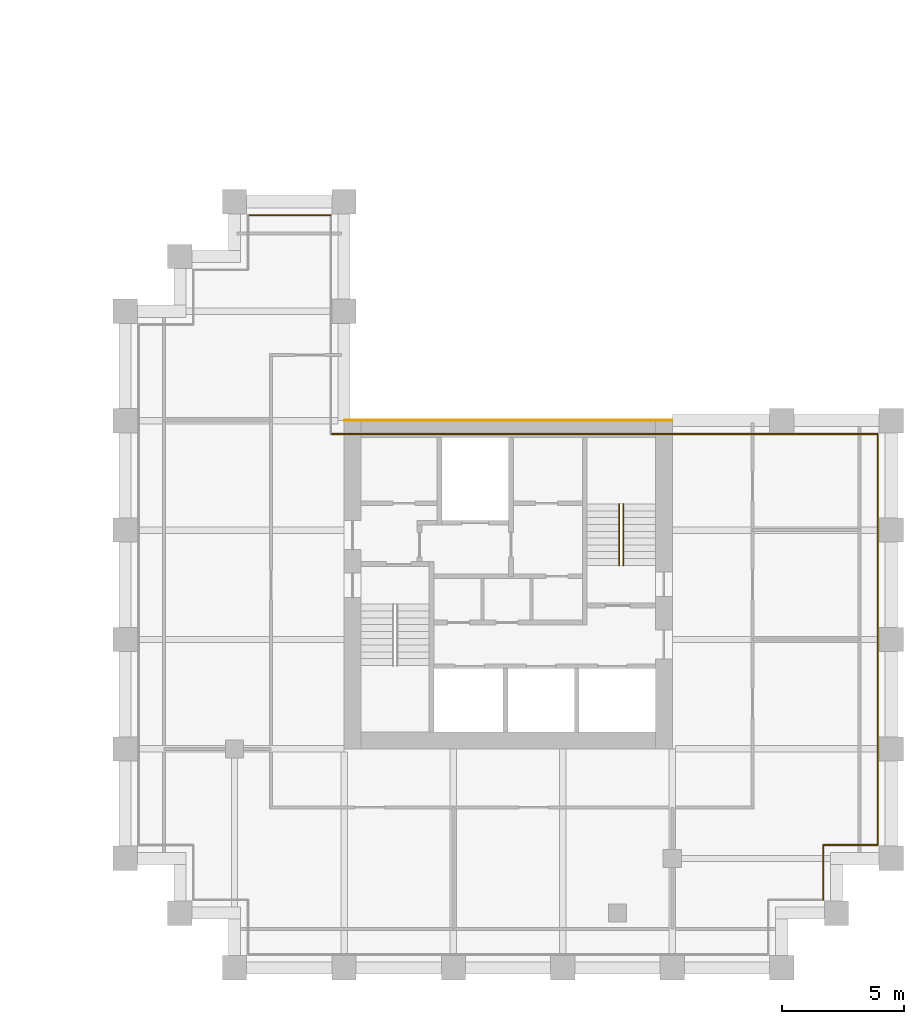
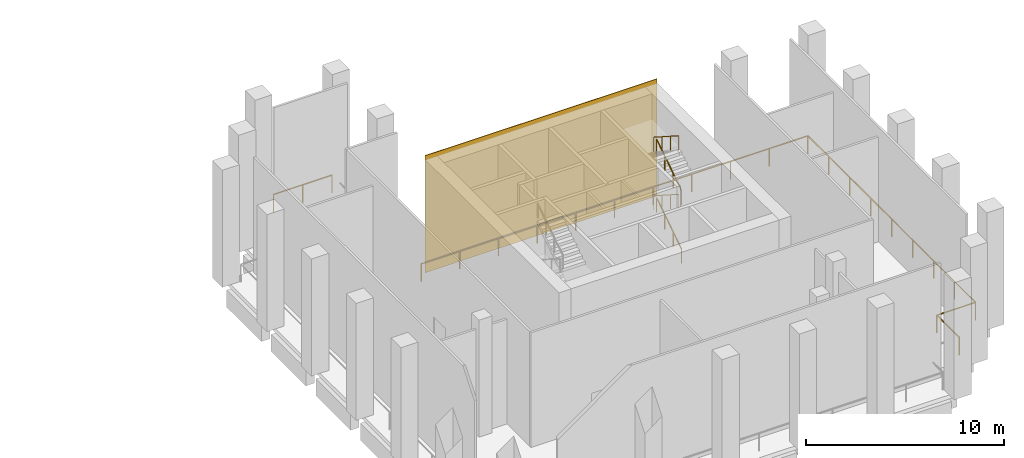
# One storey, part 9 of 9: 9 railings, 1 covering.
"""IFC4 building model written with IfcOpenShell, lengths in metres."""

from ifc_helpers import new_model, si_unit, direction, frame, origin, origin_2d, place, context, subcontext, project, spatial, rectangle, circle, extrude, source, transform, mapped, material, layer, layer_set, type_object, element, save


model = new_model("IFC4")

# Units and contexts
model_context = context("Model", 3, precision=1e-05, world=origin(), true_north=direction((0.0, 1.0)))
body_context = subcontext(model_context, "Body", "Model", "MODEL_VIEW")
ifc_project = project(units=[si_unit("LENGTHUNIT", "METRE"), si_unit("AREAUNIT", "SQUARE_METRE"), si_unit("VOLUMEUNIT", "CUBIC_METRE"), si_unit("PLANEANGLEUNIT", "RADIAN"), si_unit("MASSUNIT", "GRAM", prefix="KILO")], contexts=[model_context])

# Site, building, storey
site_placement = place(None, origin())
site = spatial("IfcSite", under=ifc_project, at=site_placement, CompositionType="ELEMENT")
building_placement = place(site_placement, origin())
building = spatial("IfcBuilding", under=site, at=building_placement, Name="Altepetl Exchange Towers", CompositionType="ELEMENT")
storey_placement = place(building_placement, frame((0.0, 0.0, 113.60009765625)))
storey = spatial("IfcBuildingStorey", under=building, at=storey_placement, Name="L28 Wind floor plant", CompositionType="ELEMENT", Elevation=113.60009765625)

# Covering
ifc_material_1 = material(Name="Cantera limestone cladding", Category="masonry")
ifc_layer = layer(ifc_material_1, 0.0400390625)
ifc_layer_set = layer_set([ifc_layer], Name="Cantera limestone cladding")
covering_type = type_object("IfcCoveringType", Name="Stone panel 40 cantera", PredefinedType="CLADDING", material=ifc_layer_set)
covering_placement = place(storey_placement, frame((110.25, 49.52001953125, 0.0), z_axis=(0.0, 0.0, 1.0), x_axis=(-1.0, 0.0, 0.0)))
element("IfcCovering", 1, at=covering_placement, inside=storey, type_object=covering_type, Name="Stone cladding panel", PredefinedType="CLADDING", context=body_context, shape_type="SweptSolid", body=[
    extrude(rectangle(XDim=13.5, YDim=0.0400390625, at=origin_2d()), origin(), (0.0, 0.0, 1.0), 7.199951171875),
])

# Railings
ifc_material_2 = material(Name="Steel S355", Category="steel")
railing_type_1 = type_object("IfcRailingType", Name="Guard 1100 steel posts and rail", PredefinedType="GUARDRAIL", material=ifc_material_2)
shared_shape_1 = source(origin(), body_context, "Body", "SweptSolid", [
    extrude(circle(Radius=0.02099609375, at=origin_2d()), origin(), (0.0, 0.0, 1.0), 1.052001953125),
])
railing_1_placement = place(storey_placement, frame((123.199951171875, 29.800048828125, 0.0)))
element("IfcRailing", 2, at=railing_1_placement, inside=storey, type_object=railing_type_1, Name="Edge guard", PredefinedType="GUARDRAIL", context=body_context, shape_type="SweptSolid", body=[
    extrude(circle(Radius=0.02392578125, at=origin_2d()), frame((0.0, 0.0, 1.076171875), z_axis=(0.0, 1.0, 0.0), x_axis=(-1.0, 0.0, 0.0)), (0.0, 0.0, 1.0), 2.25),
    mapped(shared_shape_1, transform((0.0, 0.0, 0.0))),
    mapped(shared_shape_1, transform((0.0, 2.25, 0.0))),
])
railing_2_placement = place(storey_placement, frame((123.199951171875, 32.050048828125, 0.0)))
element("IfcRailing", 3, at=railing_2_placement, inside=storey, type_object=railing_type_1, Name="Edge guard", PredefinedType="GUARDRAIL", context=body_context, shape_type="SweptSolid", body=[
    extrude(circle(Radius=0.02392578125, at=origin_2d()), frame((0.0, 0.0, 1.076171875), z_axis=(1.0, 0.0, 0.0), x_axis=(0.0, 1.0, 0.0)), (0.0, 0.0, 1.0), 2.25),
    mapped(shared_shape_1, transform((0.0, 0.0, 0.0))),
    mapped(shared_shape_1, transform((2.25, 0.0, 0.0))),
])
railing_3_placement = place(storey_placement, frame((125.449951171875, 32.050048828125, 0.0)))
element("IfcRailing", 4, at=railing_3_placement, inside=storey, type_object=railing_type_1, Name="Edge guard", PredefinedType="GUARDRAIL", context=body_context, shape_type="SweptSolid", body=[
    extrude(circle(Radius=0.02392578125, at=origin_2d()), frame((0.0, 0.0, 1.076171875), z_axis=(0.0, 1.0, 0.0), x_axis=(-1.0, 0.0, 0.0)), (0.0, 0.0, 1.0), 16.89990234375),
    mapped(shared_shape_1, transform((0.0, 0.0, 0.0))),
    mapped(shared_shape_1, transform((0.0, 2.112548828125, 0.0))),
    mapped(shared_shape_1, transform((0.0, 4.22509765625, 0.0))),
    mapped(shared_shape_1, transform((0.0, 6.33740234375, 0.0))),
    mapped(shared_shape_1, transform((0.0, 8.449951171875, 0.0))),
    mapped(shared_shape_1, transform((0.0, 10.5625, 0.0))),
    mapped(shared_shape_1, transform((0.0, 12.6748046875, 0.0))),
    mapped(shared_shape_1, transform((0.0, 14.787353515625, 0.0))),
    mapped(shared_shape_1, transform((0.0, 16.89990234375, 0.0))),
])
railing_4_placement = place(storey_placement, frame((125.449951171875, 48.949951171875, 0.0)))
element("IfcRailing", 5, at=railing_4_placement, inside=storey, type_object=railing_type_1, Name="Edge guard", PredefinedType="GUARDRAIL", context=body_context, shape_type="SweptSolid", body=[
    extrude(circle(Radius=0.02392578125, at=origin_2d()), frame((0.0, 0.0, 1.076171875), z_axis=(-1.0, 0.0, 0.0), x_axis=(0.0, -1.0, 0.0)), (0.0, 0.0, 1.0), 22.5),
    mapped(shared_shape_1, transform((0.0, 0.0, 0.0))),
    mapped(shared_shape_1, transform((-2.25, 0.0, 0.0))),
    mapped(shared_shape_1, transform((-4.5, 0.0, 0.0))),
    mapped(shared_shape_1, transform((-6.75, 0.0, 0.0))),
    mapped(shared_shape_1, transform((-9.0, 0.0, 0.0))),
    mapped(shared_shape_1, transform((-11.25, 0.0, 0.0))),
    mapped(shared_shape_1, transform((-13.5, 0.0, 0.0))),
    mapped(shared_shape_1, transform((-15.75, 0.0, 0.0))),
    mapped(shared_shape_1, transform((-18.0, 0.0, 0.0))),
    mapped(shared_shape_1, transform((-20.25, 0.0, 0.0))),
    mapped(shared_shape_1, transform((-22.5, 0.0, 0.0))),
])
railing_5_placement = place(storey_placement, frame((102.949951171875, 57.949951171875, 0.0)))
element("IfcRailing", 6, at=railing_5_placement, inside=storey, type_object=railing_type_1, Name="Edge guard", PredefinedType="GUARDRAIL", context=body_context, shape_type="SweptSolid", body=[
    extrude(circle(Radius=0.02392578125, at=origin_2d()), frame((0.0, 0.0, 1.076171875), z_axis=(-1.0, 0.0, 0.0), x_axis=(0.0, -1.0, 0.0)), (0.0, 0.0, 1.0), 3.39990234375),
    mapped(shared_shape_1, transform((0.0, 0.0, 0.0))),
    mapped(shared_shape_1, transform((-1.699951171875, 0.0, 0.0))),
    mapped(shared_shape_1, transform((-3.39990234375, 0.0, 0.0))),
])
ifc_material_3 = material(Name="Steel", Category="steel")
railing_type_2 = type_object("IfcRailingType", Name="Stair handrail 50 steel tube", PredefinedType="HANDRAIL", material=ifc_material_3)
shared_shape_2 = source(origin(), body_context, "Body", "SweptSolid", [
    extrude(circle(Radius=0.02099609375, at=origin_2d()), origin(), (0.0, 0.0, 1.0), 0.851806640625),
])
railing_6_placement = place(storey_placement, frame((114.97998046875, 43.550048828125, 0.179931640625)))
element("IfcRailing", 7, at=railing_6_placement, inside=storey, type_object=railing_type_2, Name="Stair handrail", PredefinedType="HANDRAIL", context=body_context, shape_type="SweptSolid", body=[
    extrude(circle(Radius=0.02392578125, at=origin_2d()), frame((0.0, 0.0, 0.8759765625), z_axis=(0.0, 0.841199657755, 0.540724639528), x_axis=(-1.0, 0.0, 0.0)), (0.0, 0.0, 1.0), 2.995849609375),
    mapped(shared_shape_2, transform((0.0, 0.0, 0.0))),
    mapped(shared_shape_2, transform((0.0, 0.840087890625, 0.5400390625))),
    mapped(shared_shape_2, transform((0.0, 1.679931640625, 1.079833984375))),
    mapped(shared_shape_2, transform((0.0, 2.52001953125, 1.619873046875))),
])
railing_7_placement = place(storey_placement, frame((114.820068359375, 46.070068359375, 1.97998046875)))
element("IfcRailing", 8, at=railing_7_placement, inside=storey, type_object=railing_type_2, Name="Stair handrail", PredefinedType="HANDRAIL", context=body_context, shape_type="SweptSolid", body=[
    extrude(circle(Radius=0.02392578125, at=origin_2d()), frame((0.0, 0.0, 0.8759765625), z_axis=(0.0, -0.841199657755, 0.540724639528), x_axis=(1.0, 0.0, 0.0)), (0.0, 0.0, 1.0), 2.995849609375),
    mapped(shared_shape_2, transform((0.0, 0.0, 0.0))),
    mapped(shared_shape_2, transform((0.0, -0.840087890625, 0.5400390625))),
    mapped(shared_shape_2, transform((0.0, -1.679931640625, 1.079833984375))),
    mapped(shared_shape_2, transform((0.0, -2.52001953125, 1.619873046875))),
])
railing_8_placement = place(storey_placement, frame((114.97998046875, 43.550048828125, 3.77978515625)))
element("IfcRailing", 9, at=railing_8_placement, inside=storey, type_object=railing_type_2, Name="Stair handrail", PredefinedType="HANDRAIL", context=body_context, shape_type="SweptSolid", body=[
    extrude(circle(Radius=0.02392578125, at=origin_2d()), frame((0.0, 0.0, 0.8759765625), z_axis=(0.0, 0.841162588446, 0.540782303519), x_axis=(-1.0, 0.0, 0.0)), (0.0, 0.0, 1.0), 2.995849609375),
    mapped(shared_shape_2, transform((0.0, 0.0, 0.0))),
    mapped(shared_shape_2, transform((0.0, 0.840087890625, 0.5400390625))),
    mapped(shared_shape_2, transform((0.0, 1.679931640625, 1.080078125))),
    mapped(shared_shape_2, transform((0.0, 2.52001953125, 1.6201171875))),
])
railing_9_placement = place(storey_placement, frame((114.820068359375, 46.070068359375, 5.579833984375)))
element("IfcRailing", 10, at=railing_9_placement, inside=storey, type_object=railing_type_2, Name="Stair handrail", PredefinedType="HANDRAIL", context=body_context, shape_type="SweptSolid", body=[
    extrude(circle(Radius=0.02392578125, at=origin_2d()), frame((0.0, 0.0, 0.8759765625), z_axis=(0.0, -0.841162588446, 0.540782303519), x_axis=(1.0, 0.0, 0.0)), (0.0, 0.0, 1.0), 2.995849609375),
    mapped(shared_shape_2, transform((0.0, 0.0, 0.0))),
    mapped(shared_shape_2, transform((0.0, -0.840087890625, 0.5400390625))),
    mapped(shared_shape_2, transform((0.0, -1.679931640625, 1.080078125))),
    mapped(shared_shape_2, transform((0.0, -2.52001953125, 1.6201171875))),
])

save(model, "model.ifc")
